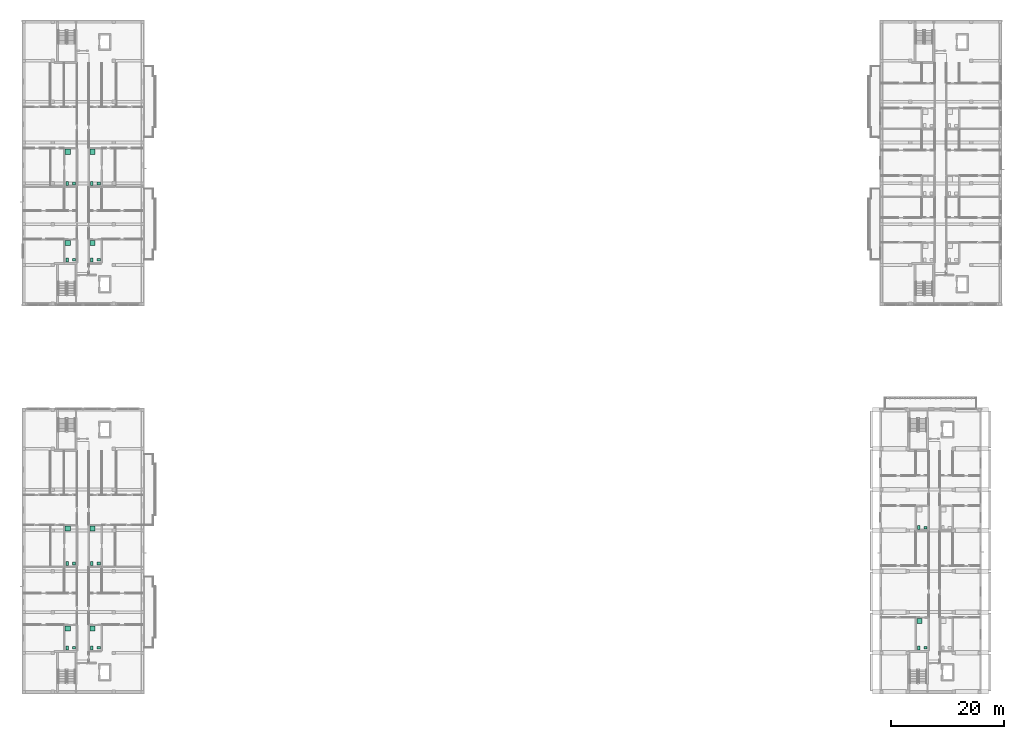
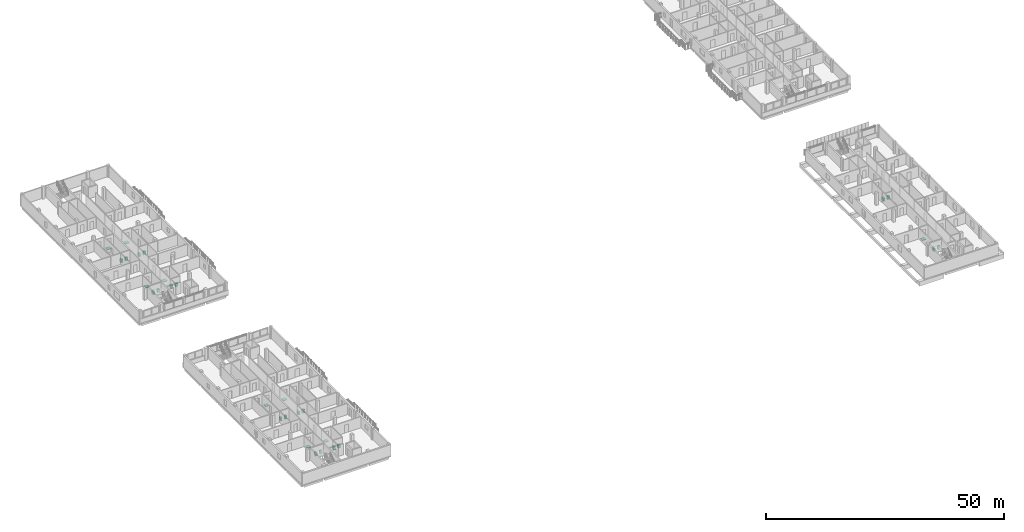
# One storey, part 40 of 41: 29 sanitary terminals.
"""IFC4 building model written with IfcOpenShell, lengths in metres."""

from ifc_helpers import new_model, si_unit, derived_unit, direction, frame, origin, origin_2d, place, context, subcontext, project, spatial, rectangle, extrude, material, type_object, element, save


model = new_model("IFC4")

# Units and contexts
model_context = context("Model", 3, precision=1e-05, world=origin(), true_north=direction((0.0, 1.0)))
body_context = subcontext(model_context, "Body", "Model", "MODEL_VIEW")
ifc_project = project(units=[si_unit("LENGTHUNIT", "METRE"), si_unit("AREAUNIT", "SQUARE_METRE"), si_unit("VOLUMEUNIT", "CUBIC_METRE"), si_unit("PLANEANGLEUNIT", "RADIAN"), si_unit("MASSUNIT", "GRAM", prefix="KILO"), derived_unit("THERMALTRANSMITTANCEUNIT", [(si_unit("MASSUNIT", "GRAM", prefix="KILO"), 1), (si_unit("TIMEUNIT", "SECOND"), -3), (si_unit("THERMODYNAMICTEMPERATUREUNIT", "KELVIN"), -1)])], contexts=[model_context])

# Site, building, storey
site_placement = place(None, origin())
site = spatial("IfcSite", under=ifc_project, at=site_placement, CompositionType="ELEMENT")
building_placement = place(site_placement, origin())
building = spatial("IfcBuilding", under=site, at=building_placement, Name="Ochrekiln Boulevard Commons", CompositionType="ELEMENT")
storey_placement = place(building_placement, frame((0.0, 0.0, 21.52490234375)))
storey = spatial("IfcBuildingStorey", under=building, at=storey_placement, Name="L06", CompositionType="ELEMENT", Elevation=21.52490234375)

# Sanitary terminals
ifc_material = material(Name="Vitreous china sanitaryware")
sanitary_terminal_type_1 = type_object("IfcSanitaryTerminalType", Name="SAN-BAS", PredefinedType="WASHHANDBASIN", material=ifc_material)
for number, where, z_axis, x_axis, name in (
    (1, (9.169921875, 76.5, 0.0), (0.0, 0.0, 1.0), (1.0, 0.0, 0.0), "L06 Washhand Basin Fixture"),
    (2, (9.169921875, 89.966064453125, 0.0), (0.0, 0.0, 1.0), (1.0, 0.0, 0.0), "L06 Washhand Basin Fixture"),
    (3, (13.530029296875, 76.5, 0.0), (0.0, 0.0, 1.0), (1.0, 0.0, 0.0), "L06 Washhand Basin Fixture"),
    (4, (13.530029296875, 89.966064453125, 0.0), (0.0, 0.0, 1.0), (1.0, 0.0, 0.0), "L06 Washhand Basin Fixture"),
    (5, (159.320068359375, 8.10009765625, 0.0), (0.0, 0.0, 1.0), (1.0, 0.0, 0.0), "L06 Washhand Basin Fixture"),
    (6, (159.320068359375, 29.31005859375, 0.0), (0.0, 0.0, 1.0), (1.0, 0.0, 0.0), "L06 Washhand Basin Fixture"),
    (7, (9.169921875, 8.10009765625, 0.0), (0.0, 0.0, 1.0), (1.0, 0.0, 0.0), "L06 Washhand Basin Fixture"),
    (8, (9.169921875, 22.97412109375, 0.0), (0.0, 0.0, 1.0), (1.0, 0.0, 0.0), "L06 Washhand Basin Fixture"),
    (9, (13.530029296875, 8.10009765625, 0.0), (0.0, 0.0, 1.0), (1.0, 0.0, 0.0), "L06 Washhand Basin Fixture"),
    (10, (13.530029296875, 22.97412109375, 0.0), (0.0, 0.0, 1.0), (1.0, 0.0, 0.0), "L06 Washhand Basin Fixture"),
):
    element("IfcSanitaryTerminal", number, at=place(storey_placement, frame(where, z_axis=z_axis, x_axis=x_axis)), inside=storey, type_object=sanitary_terminal_type_1, Name=name, PredefinedType="WASHHANDBASIN", context=body_context, shape_type="SweptSolid", body=[
        extrude(rectangle(XDim=0.550048828125, YDim=0.4599609375, at=origin_2d()), origin(), (0.0, 0.0, 1.0), 0.840087890625),
    ])
sanitary_terminal_type_2 = type_object("IfcSanitaryTerminalType", Name="SAN-SHW", PredefinedType="SHOWER", material=ifc_material)
for number, where, z_axis, x_axis, name in (
    (11, (8.070068359375, 79.489013671875, 0.0), (0.0, 0.0, 1.0), (1.0, 0.0, 0.0), "L06 Shower Receptor"),
    (12, (8.070068359375, 95.573974609375, 0.0), (0.0, 0.0, 1.0), (1.0, 0.0, 0.0), "L06 Shower Receptor"),
    (13, (12.429931640625, 79.489013671875, 0.0), (0.0, 0.0, 1.0), (1.0, 0.0, 0.0), "L06 Shower Receptor"),
    (14, (12.429931640625, 95.573974609375, 0.0), (0.0, 0.0, 1.0), (1.0, 0.0, 0.0), "L06 Shower Receptor"),
    (15, (158.219970703125, 12.820068359375, 0.0), (0.0, 0.0, 1.0), (1.0, 0.0, 0.0), "L06 Shower Receptor"),
    (16, (8.070068359375, 11.52490234375, 0.0), (0.0, 0.0, 1.0), (1.0, 0.0, 0.0), "L06 Shower Receptor"),
    (17, (8.070068359375, 29.1201171875, 0.0), (0.0, 0.0, 1.0), (1.0, 0.0, 0.0), "L06 Shower Receptor"),
    (18, (12.429931640625, 11.52490234375, 0.0), (0.0, 0.0, 1.0), (1.0, 0.0, 0.0), "L06 Shower Receptor"),
    (19, (12.429931640625, 29.1201171875, 0.0), (0.0, 0.0, 1.0), (1.0, 0.0, 0.0), "L06 Shower Receptor"),
):
    element("IfcSanitaryTerminal", number, at=place(storey_placement, frame(where, z_axis=z_axis, x_axis=x_axis)), inside=storey, type_object=sanitary_terminal_type_2, Name=name, PredefinedType="SHOWER", context=body_context, shape_type="SweptSolid", body=[
        extrude(rectangle(XDim=0.89990234375, YDim=0.89990234375, at=origin_2d()), origin(), (0.0, 0.0, 1.0), 0.1201171875),
    ])
sanitary_terminal_type_3 = type_object("IfcSanitaryTerminalType", Name="SAN-WC", PredefinedType="TOILETPAN", material=ifc_material)
for number, where, z_axis, x_axis, name in (
    (20, (7.969970703125, 76.5, 0.0), (0.0, 0.0, 1.0), (1.0, 0.0, 0.0), "L06 Water Closet Fixture"),
    (21, (7.969970703125, 89.966064453125, 0.0), (0.0, 0.0, 1.0), (1.0, 0.0, 0.0), "L06 Water Closet Fixture"),
    (22, (12.330078125, 76.5, 0.0), (0.0, 0.0, 1.0), (1.0, 0.0, 0.0), "L06 Water Closet Fixture"),
    (23, (12.330078125, 89.966064453125, 0.0), (0.0, 0.0, 1.0), (1.0, 0.0, 0.0), "L06 Water Closet Fixture"),
    (24, (158.1201171875, 8.10009765625, 0.0), (0.0, 0.0, 1.0), (1.0, 0.0, 0.0), "L06 Water Closet Fixture"),
    (25, (158.1201171875, 29.31005859375, 0.0), (0.0, 0.0, 1.0), (1.0, 0.0, 0.0), "L06 Water Closet Fixture"),
    (26, (7.969970703125, 8.10009765625, 0.0), (0.0, 0.0, 1.0), (1.0, 0.0, 0.0), "L06 Water Closet Fixture"),
    (27, (7.969970703125, 22.97412109375, 0.0), (0.0, 0.0, 1.0), (1.0, 0.0, 0.0), "L06 Water Closet Fixture"),
    (28, (12.330078125, 8.10009765625, 0.0), (0.0, 0.0, 1.0), (1.0, 0.0, 0.0), "L06 Water Closet Fixture"),
    (29, (12.330078125, 22.97412109375, 0.0), (0.0, 0.0, 1.0), (1.0, 0.0, 0.0), "L06 Water Closet Fixture"),
):
    element("IfcSanitaryTerminal", number, at=place(storey_placement, frame(where, z_axis=z_axis, x_axis=x_axis)), inside=storey, type_object=sanitary_terminal_type_3, Name=name, PredefinedType="TOILETPAN", context=body_context, shape_type="SweptSolid", body=[
        extrude(rectangle(XDim=0.419921875, YDim=0.679931640625, at=origin_2d()), origin(), (0.0, 0.0, 1.0), 0.780029296875),
    ])

save(model, "model.ifc")
